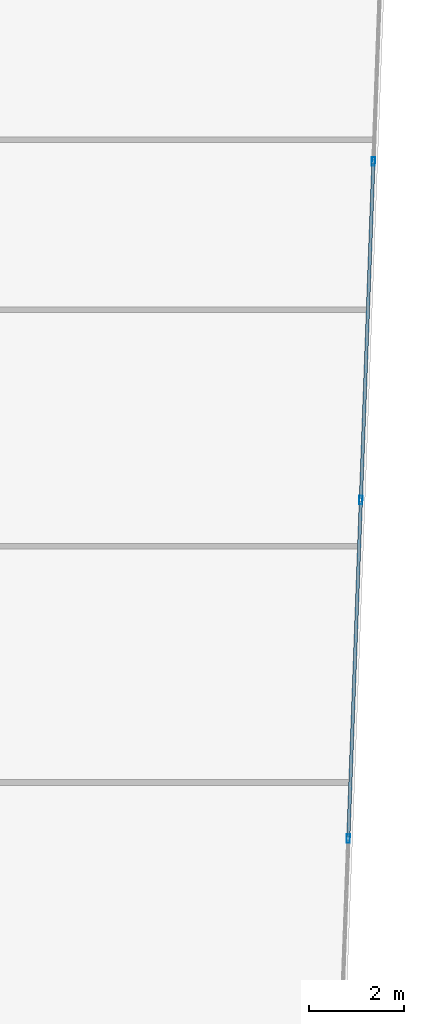
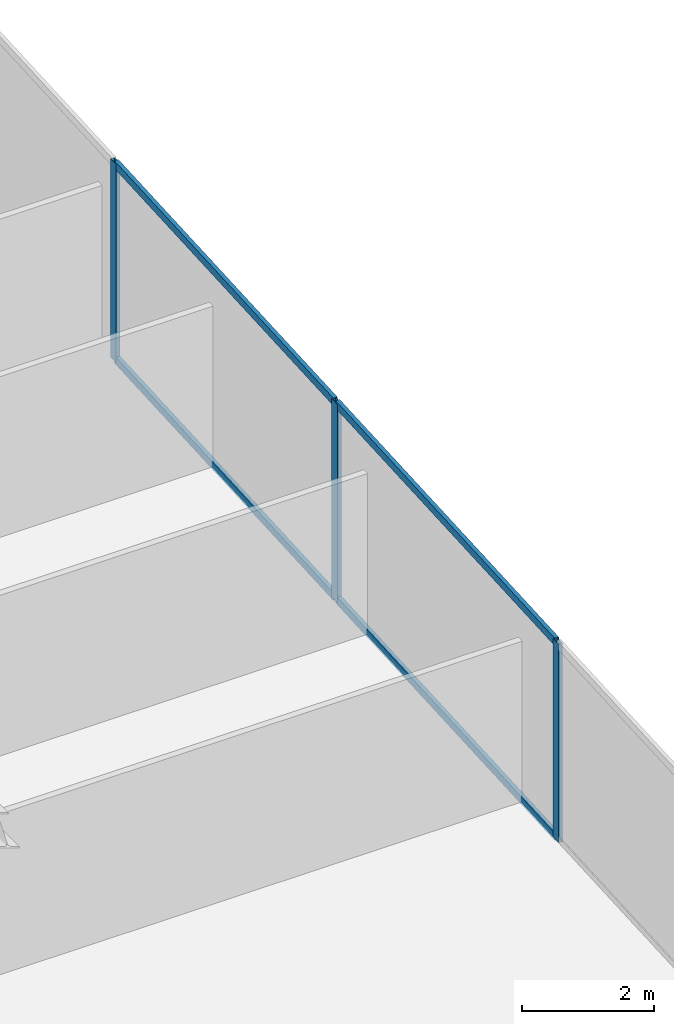
# One storey, part 16 of 30: 7 members, 1 element without a shape of its own.
"""IFC4 building model written with IfcOpenShell, lengths in metres."""

from ifc_helpers import new_model, si_unit, direction, frame, origin, origin_2d, place, context, subcontext, project, spatial, hollow_rectangle, extrude, source, transform, mapped, material, material_profile, profile_set, type_object, type_shapes, element, aggregate, save


model = new_model("IFC4")

# Units and contexts
model_context = context("Model", 3, precision=1e-05, world=origin(), true_north=direction((0.0, 1.0)))
body_context = subcontext(model_context, "Body", "Model", "MODEL_VIEW")
ifc_project = project(units=[si_unit("LENGTHUNIT", "METRE"), si_unit("AREAUNIT", "SQUARE_METRE"), si_unit("VOLUMEUNIT", "CUBIC_METRE"), si_unit("PLANEANGLEUNIT", "RADIAN"), si_unit("MASSUNIT", "GRAM", prefix="KILO")], contexts=[model_context])

# Site, building, storey
site_placement = place(None, origin())
site = spatial("IfcSite", under=ifc_project, at=site_placement, CompositionType="ELEMENT")
building_placement = place(site_placement, origin())
building = spatial("IfcBuilding", under=site, at=building_placement, Name="Krantzveldt Concourse Tower", CompositionType="ELEMENT")
storey_placement = place(building_placement, frame((0.0, 0.0, 44.75)))
storey = spatial("IfcBuildingStorey", under=building, at=storey_placement, Name="L10", CompositionType="ELEMENT", Elevation=44.75)

# Curtain wall, members
ifc_material = material(Name="Anodised aluminium 6063-T6", Category="aluminium")
curtain_wall_type = type_object("IfcCurtainWallType", Name="CW2", PredefinedType="USERDEFINED", material=ifc_material)
curtain_wall_placement = place(storey_placement, origin())
curtain_wall = element("IfcCurtainWall", 1, at=curtain_wall_placement, inside=storey, type_object=curtain_wall_type, Name="CW-L10-F07", ObjectType="UNITISED CURTAIN WALL", PredefinedType="USERDEFINED")
ifc_material_profile_1 = material_profile(ifc_material, hollow_rectangle(XDim=0.070068359375, YDim=0.179931640625, WallThickness=0.0048828125, at=origin_2d()), Name="Anodised aluminium 6063-T6", Category="aluminium")
ifc_profile_set_1 = profile_set([ifc_material_profile_1], Name="Anodised aluminium 6063-T6 - ALU-MULL 180x70x5")
member_type_1 = type_object("IfcMemberType", Name="CW-MUL-180", PredefinedType="MULLION", material=ifc_profile_set_1)
shared_shape_1 = source(origin(), body_context, "Body", "SweptSolid", [
    extrude(hollow_rectangle(XDim=0.070068359375, YDim=0.179931640625, WallThickness=0.0048828125, at=origin_2d()), origin(), (0.0, 0.0, 1.0), 3.669921875),
])
type_shapes(member_type_1, [shared_shape_1])
member_1_placement = place(storey_placement, frame((60.627197265625, 18.614501953125, 0.0), z_axis=(0.0, 0.0, 1.0), x_axis=(-0.999312308986, 0.037079766834, 0.0)))
member_1 = element("IfcMember", 2, at=member_1_placement, type_object=member_type_1, Name="CW-Z12 mullion 3", PredefinedType="MULLION", context=body_context, shape_type="MappedRepresentation", body=[
    mapped(shared_shape_1, transform((0.0, 0.0, 0.0), x_axis=(1.0, 0.0, 0.0), y_axis=(0.0, 1.0, 0.0), z_axis=(0.0, 0.0, 1.0), scale=1.0)),
])
member_2_placement = place(storey_placement, frame((60.892822265625, 25.7763671875, 0.0), z_axis=(0.0, 0.0, 1.0), x_axis=(-0.999312308986, 0.037079766834, 0.0)))
member_2 = element("IfcMember", 3, at=member_2_placement, type_object=member_type_1, Name="CW-Z12 mullion 4", PredefinedType="MULLION", context=body_context, shape_type="MappedRepresentation", body=[
    mapped(shared_shape_1, transform((0.0, 0.0, 0.0), x_axis=(1.0, 0.0, 0.0), y_axis=(0.0, 1.0, 0.0), z_axis=(0.0, 0.0, 1.0), scale=1.0)),
])
member_3_placement = place(storey_placement, frame((61.15869140625, 32.93798828125, 0.0), z_axis=(0.0, 0.0, 1.0), x_axis=(-0.999312308986, 0.037079766834, 0.0)))
member_3 = element("IfcMember", 4, at=member_3_placement, type_object=member_type_1, Name="CW-Z12 mullion 5", PredefinedType="MULLION", context=body_context, shape_type="MappedRepresentation", body=[
    mapped(shared_shape_1, transform((0.0, 0.0, 0.0), x_axis=(1.0, 0.0, 0.0), y_axis=(0.0, 1.0, 0.0), z_axis=(0.0, 0.0, 1.0), scale=1.0)),
])
ifc_material_profile_2 = material_profile(ifc_material, hollow_rectangle(XDim=0.070068359375, YDim=0.139892578125, WallThickness=0.0048828125, at=origin_2d()), Name="Anodised aluminium 6063-T6", Category="aluminium")
ifc_profile_set_2 = profile_set([ifc_material_profile_2], Name="Anodised aluminium 6063-T6 - ALU-TRAN 140x70x5")
member_type_2 = type_object("IfcMemberType", Name="CW-TRN-150", PredefinedType="USERDEFINED", material=ifc_profile_set_2)
shared_shape_2 = source(origin(), body_context, "Body", "SweptSolid", [
    extrude(hollow_rectangle(XDim=0.070068359375, YDim=0.139892578125, WallThickness=0.0048828125, at=origin_2d()), origin(), (0.0, 0.0, 1.0), 7.0966796875),
])
type_shapes(member_type_2, [shared_shape_2])
member_4_placement = place(storey_placement, frame((60.62841796875, 18.649658203125, 0.034912109375), z_axis=(0.037085459975, 0.999312097724, 0.0), x_axis=(-0.999312097724, 0.037085459975, 0.0)))
member_4 = element("IfcMember", 5, at=member_4_placement, type_object=member_type_2, Name="CW-Z12 transom 3.1", ObjectType="TRANSOM", PredefinedType="USERDEFINED", context=body_context, shape_type="MappedRepresentation", body=[
    mapped(shared_shape_2, transform((0.0, 0.0, 0.0), x_axis=(1.0, 0.0, 0.0), y_axis=(0.0, 1.0, 0.0), z_axis=(0.0, 0.0, 1.0), scale=1.0)),
])
member_5_placement = place(storey_placement, frame((60.62841796875, 18.649658203125, 3.635009765625), z_axis=(0.037085459975, 0.999312097724, 0.0), x_axis=(-0.999312097724, 0.037085459975, 0.0)))
member_5 = element("IfcMember", 6, at=member_5_placement, type_object=member_type_2, Name="CW-Z12 transom 3.2", ObjectType="TRANSOM", PredefinedType="USERDEFINED", context=body_context, shape_type="MappedRepresentation", body=[
    mapped(shared_shape_2, transform((0.0, 0.0, 0.0), x_axis=(1.0, 0.0, 0.0), y_axis=(0.0, 1.0, 0.0), z_axis=(0.0, 0.0, 1.0), scale=1.0)),
])
member_6_placement = place(storey_placement, frame((60.89404296875, 25.811279296875, 0.034912109375), z_axis=(0.037085459975, 0.999312097724, 0.0), x_axis=(-0.999312097724, 0.037085459975, 0.0)))
member_6 = element("IfcMember", 7, at=member_6_placement, type_object=member_type_2, Name="CW-Z12 transom 4.1", ObjectType="TRANSOM", PredefinedType="USERDEFINED", context=body_context, shape_type="MappedRepresentation", body=[
    mapped(shared_shape_2, transform((0.0, 0.0, 0.0), x_axis=(1.0, 0.0, 0.0), y_axis=(0.0, 1.0, 0.0), z_axis=(0.0, 0.0, 1.0), scale=1.0)),
])
member_7_placement = place(storey_placement, frame((60.89404296875, 25.811279296875, 3.635009765625), z_axis=(0.037085459975, 0.999312097724, 0.0), x_axis=(-0.999312097724, 0.037085459975, 0.0)))
member_7 = element("IfcMember", 8, at=member_7_placement, type_object=member_type_2, Name="CW-Z12 transom 4.2", ObjectType="TRANSOM", PredefinedType="USERDEFINED", context=body_context, shape_type="MappedRepresentation", body=[
    mapped(shared_shape_2, transform((0.0, 0.0, 0.0), x_axis=(1.0, 0.0, 0.0), y_axis=(0.0, 1.0, 0.0), z_axis=(0.0, 0.0, 1.0), scale=1.0)),
])
aggregate(curtain_wall, [member_1, member_2, member_3, member_4, member_5, member_6, member_7])

save(model, "model.ifc")
